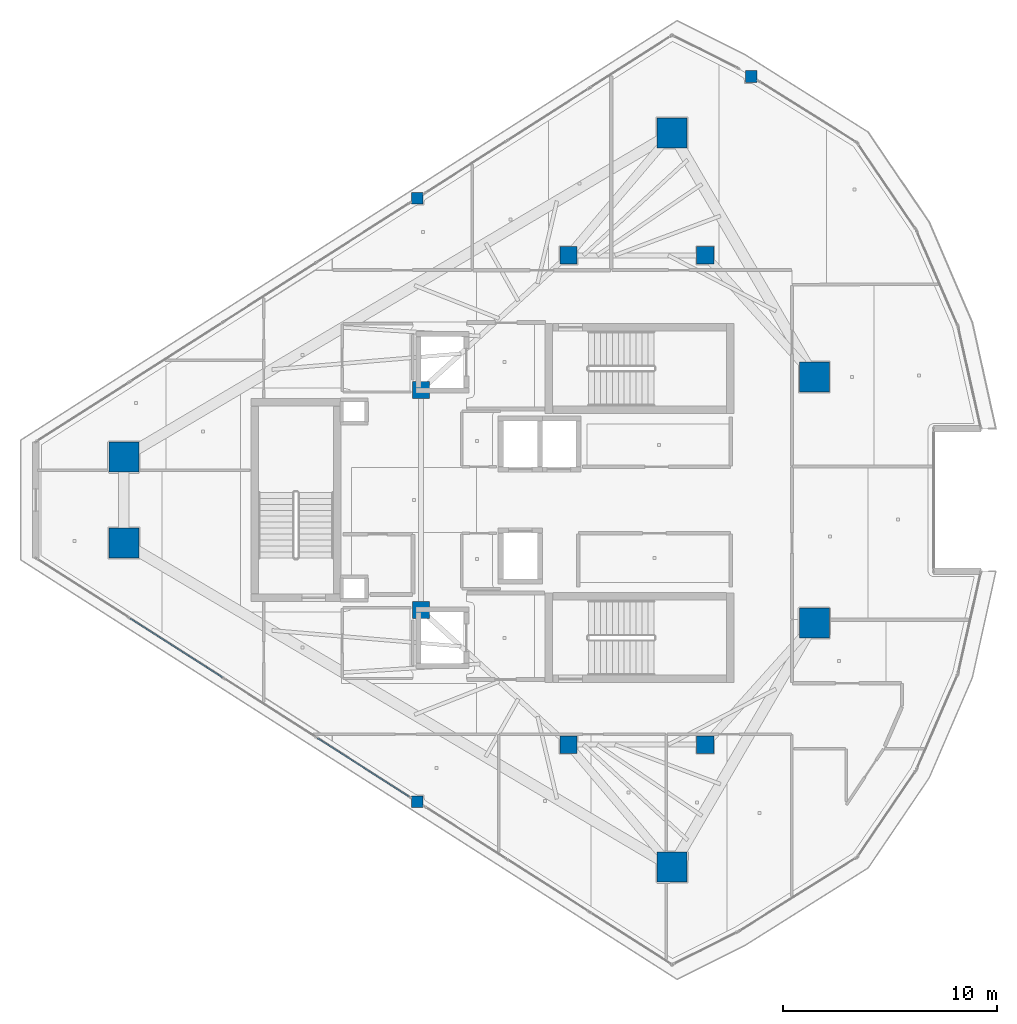
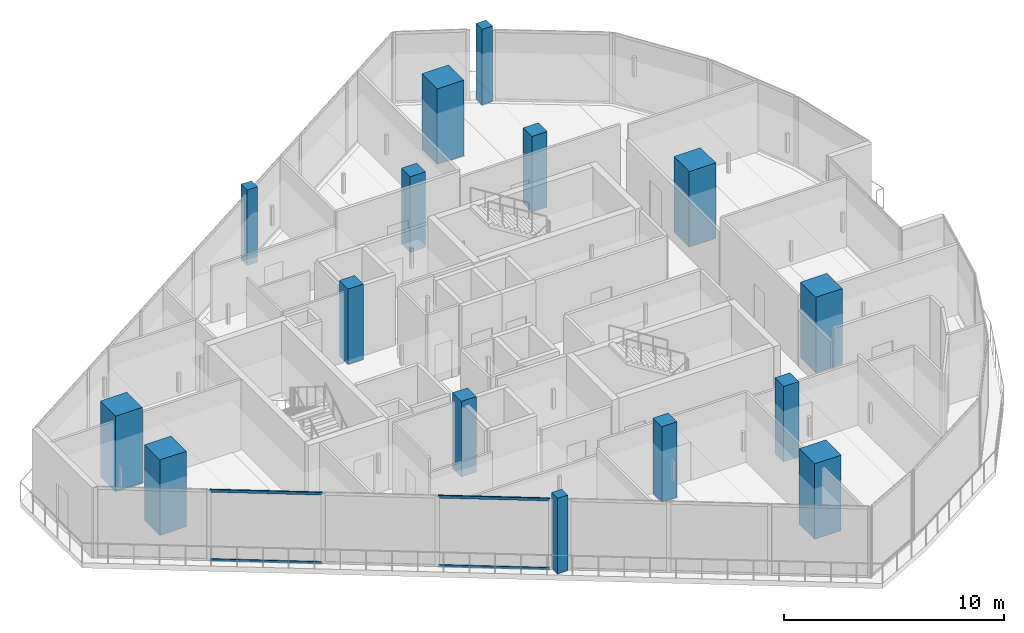
# One storey, part 1 of 23: 15 columns, 4 members, 1 element without a shape of its own.
"""IFC4 building model written with IfcOpenShell, lengths in metres."""

from ifc_helpers import new_model, si_unit, direction, frame, origin, origin_2d, place, context, subcontext, project, spatial, rectangle, hollow_rectangle, extrude, material, layer, layer_set, material_profile, profile_set, type_object, element, aggregate, save


model = new_model("IFC4")

# Units and contexts
model_context = context("Model", 3, precision=1e-05, world=origin(), true_north=direction((0.0, 1.0)))
body_context = subcontext(model_context, "Body", "Model", "MODEL_VIEW")
ifc_project = project(units=[si_unit("LENGTHUNIT", "METRE"), si_unit("AREAUNIT", "SQUARE_METRE"), si_unit("VOLUMEUNIT", "CUBIC_METRE"), si_unit("PLANEANGLEUNIT", "RADIAN"), si_unit("MASSUNIT", "GRAM", prefix="KILO")], contexts=[model_context])

# Site, building, storey
site_placement = place(None, origin())
site = spatial("IfcSite", under=ifc_project, at=site_placement, CompositionType="ELEMENT")
building_placement = place(site_placement, origin())
building = spatial("IfcBuilding", under=site, at=building_placement, Name="Qorvath Tower", CompositionType="ELEMENT")
storey_placement = place(building_placement, frame((0.0, 0.0, 310.199951171875)))
storey = spatial("IfcBuildingStorey", under=building, at=storey_placement, Name="L72", CompositionType="ELEMENT", Elevation=310.199951171875)

# Columns
ifc_material_1 = material(Name="Concrete C50/60", Category="concrete")
ifc_material_profile_1 = material_profile(ifc_material_1, rectangle(XDim=1.39990234375, YDim=1.39990234375, at=origin_2d()), Name="MC 1400x1400")
ifc_profile_set_1 = profile_set([ifc_material_profile_1], Name="Concrete C50/60")
column_type_1 = type_object("IfcColumnType", Name="COL-MC6", PredefinedType="COLUMN", material=ifc_profile_set_1)
for number, where, z_axis, x_axis, name in (
    (1, (-44.402587890625, 2.007568359375, 0.0), (0.0, 0.0, 1.0), (1.0, 0.0, 0.0), "Composite Mega-Column MC1 L72"),
    (2, (-44.402587890625, -2.007568359375, 0.0), (0.0, 0.0, 1.0), (1.0, 0.0, 0.0), "Composite Mega-Column MC2 L72"),
    (3, (-18.75048828125, -17.175537109375, 0.0), (0.0, 0.0, 1.0), (1.0, 0.0, 0.0), "Composite Mega-Column MC3 L72"),
    (4, (-12.0966796875, -5.7578125, 0.0), (0.0, 0.0, 1.0), (1.0, 0.0, 0.0), "Composite Mega-Column MC4 L72"),
    (5, (-12.0966796875, 5.7578125, 0.0), (0.0, 0.0, 1.0), (1.0, 0.0, 0.0), "Composite Mega-Column MC5 L72"),
    (6, (-18.75048828125, 17.175537109375, 0.0), (0.0, 0.0, 1.0), (1.0, 0.0, 0.0), "Composite Mega-Column MC6 L72"),
):
    element("IfcColumn", number, at=place(storey_placement, frame(where, z_axis=z_axis, x_axis=x_axis)), inside=storey, type_object=column_type_1, Name=name, PredefinedType="COLUMN", context=body_context, shape_type="SweptSolid", body=[
        extrude(rectangle(XDim=1.39990234375, YDim=1.39990234375, at=origin_2d()), origin(), (0.0, 0.0, 1.0), 4.199951171875),
    ])
ifc_material_2 = material(Name="Concrete C50/60", Category="concrete")
ifc_material_profile_2 = material_profile(ifc_material_2, rectangle(XDim=0.800048828125, YDim=0.800048828125, at=origin_2d()), Name="RC 800x800")
ifc_profile_set_2 = profile_set([ifc_material_profile_2], Name="Concrete C50/60")
column_type_2 = type_object("IfcColumnType", Name="COL-RC4", PredefinedType="COLUMN", material=ifc_profile_set_2)
for number, where, z_axis, x_axis, name in (
    (7, (-23.60009765625, 11.449951171875, 0.0), (0.0, 0.0, 1.0), (1.0, 0.0, 0.0), "Core Spine Column CC1 L72"),
    (8, (-17.199951171875, 11.449951171875, 0.0), (0.0, 0.0, 1.0), (1.0, 0.0, 0.0), "Core Spine Column CC2 L72"),
    (9, (-17.199951171875, -11.449951171875, 0.0), (0.0, 0.0, 1.0), (1.0, 0.0, 0.0), "Core Spine Column CC3 L72"),
    (10, (-23.60009765625, -11.449951171875, 0.0), (0.0, 0.0, 1.0), (1.0, 0.0, 0.0), "Core Spine Column CC4 L72"),
    (11, (-30.5, 5.14990234375, 0.0), (0.0, 0.0, 1.0), (1.0, 0.0, 0.0), "Core Spine Column CC5 L72"),
    (12, (-30.5, -5.14990234375, 0.0), (0.0, 0.0, 1.0), (1.0, 0.0, 0.0), "Core Spine Column CC6 L72"),
):
    element("IfcColumn", number, at=place(storey_placement, frame(where, z_axis=z_axis, x_axis=x_axis)), inside=storey, type_object=column_type_2, Name=name, PredefinedType="COLUMN", context=body_context, shape_type="SweptSolid", body=[
        extrude(rectangle(XDim=0.800048828125, YDim=0.800048828125, at=origin_2d()), origin(), (0.0, 0.0, 1.0), 4.199951171875),
    ])
ifc_material_3 = material(Name="Concrete C45/55", Category="concrete")
ifc_material_profile_3 = material_profile(ifc_material_3, rectangle(XDim=0.550048828125, YDim=0.550048828125, at=origin_2d()), Name="RC 550x550")
ifc_profile_set_3 = profile_set([ifc_material_profile_3], Name="Concrete C45/55")
column_type_3 = type_object("IfcColumnType", Name="COL-RC7", PredefinedType="COLUMN", material=ifc_profile_set_3)
for number, where, z_axis, x_axis, name in (
    (13, (-30.67724609375, 14.124267578125, 0.0), (0.0, 0.0, 1.0), (1.0, 0.0, 0.0), "Loggia Frame Pier Column LGH1 L72"),
    (14, (-30.67724609375, -14.124267578125, 0.0), (0.0, 0.0, 1.0), (1.0, 0.0, 0.0), "Loggia Frame Pier Column LGH2 L72"),
    (15, (-15.046142578125, 19.818115234375, 0.0), (0.0, 0.0, 1.0), (1.0, 0.0, 0.0), "Loggia Frame Pier Column LGH3 L72"),
):
    element("IfcColumn", number, at=place(storey_placement, frame(where, z_axis=z_axis, x_axis=x_axis)), inside=storey, type_object=column_type_3, Name=name, PredefinedType="COLUMN", context=body_context, shape_type="SweptSolid", body=[
        extrude(rectangle(XDim=0.550048828125, YDim=0.550048828125, at=origin_2d()), origin(), (0.0, 0.0, 1.0), 4.199951171875),
    ])

# Curtain wall, members
ifc_material_4 = material(Name="Anodised aluminium and triple low-E glass", Category="aluminium")
ifc_layer = layer(ifc_material_4, 0.179931640625)
ifc_layer_set = layer_set([ifc_layer], Name="CW-SYS-4")
curtain_wall_type = type_object("IfcCurtainWallType", Name="CW-SYS-4", PredefinedType="NOTDEFINED", material=ifc_layer_set)
curtain_wall_placement = place(storey_placement, origin())
curtain_wall = element("IfcCurtainWall", 16, at=curtain_wall_placement, inside=storey, type_object=curtain_wall_type, Name="Curtain Wall CW-4 CW-T-L72-2.1", PredefinedType="NOTDEFINED")
ifc_material_5 = material(Name="Anodised aluminium 6063-T6", Category="aluminium")
ifc_material_profile_4 = material_profile(ifc_material_5, hollow_rectangle(XDim=0.06494140625, YDim=0.159912109375, WallThickness=0.00341796875, InnerFilletRadius=0.00341796875, OuterFilletRadius=0.007080078125, at=origin_2d()), Name="CWT 160x65")
ifc_profile_set_4 = profile_set([ifc_material_profile_4], Name="Anodised aluminium 6063-T6")
member_type = type_object("IfcMemberType", Name="CWT-160", PredefinedType="USERDEFINED", material=ifc_profile_set_4)
member_1_placement = place(storey_placement, frame((-44.1103515625, -5.538818359375, 0.032470703125), z_axis=(0.842602591489, -0.538535860288, 0.0), x_axis=(0.538535860288, 0.842602591489, 0.0)))
member_1 = element("IfcMember", 17, at=member_1_placement, type_object=member_type, Name="CW-4 transom 2.1", ObjectType="TRANSOM", PredefinedType="USERDEFINED", context=body_context, shape_type="SweptSolid", body=[
    extrude(hollow_rectangle(XDim=0.06494140625, YDim=0.159912109375, WallThickness=0.00341796875, InnerFilletRadius=0.00341796875, OuterFilletRadius=0.007080078125, at=origin_2d()), origin(), (0.0, 0.0, 1.0), 5.125),
])
member_2_placement = place(storey_placement, frame((-44.1103515625, -5.538818359375, 3.877685546875), z_axis=(0.842602591489, -0.538535860288, 0.0), x_axis=(0.538535860288, 0.842602591489, 0.0)))
member_2 = element("IfcMember", 18, at=member_2_placement, type_object=member_type, Name="CW-4 transom 2.2", ObjectType="TRANSOM", PredefinedType="USERDEFINED", context=body_context, shape_type="SweptSolid", body=[
    extrude(hollow_rectangle(XDim=0.06494140625, YDim=0.159912109375, WallThickness=0.00341796875, InnerFilletRadius=0.00341796875, OuterFilletRadius=0.007080078125, at=origin_2d()), origin(), (0.0, 0.0, 1.0), 5.125),
])
member_3_placement = place(storey_placement, frame((-35.34716796875, -11.1396484375, 0.032470703125), z_axis=(0.84260068815, -0.538538838274, 0.0), x_axis=(0.538538838274, 0.84260068815, 0.0)))
member_3 = element("IfcMember", 19, at=member_3_placement, type_object=member_type, Name="CW-4 transom 4.1", ObjectType="TRANSOM", PredefinedType="USERDEFINED", context=body_context, shape_type="SweptSolid", body=[
    extrude(hollow_rectangle(XDim=0.06494140625, YDim=0.159912109375, WallThickness=0.00341796875, InnerFilletRadius=0.00341796875, OuterFilletRadius=0.007080078125, at=origin_2d()), origin(), (0.0, 0.0, 1.0), 5.08740234375),
])
member_4_placement = place(storey_placement, frame((-35.34716796875, -11.1396484375, 3.877685546875), z_axis=(0.84260068815, -0.538538838274, 0.0), x_axis=(0.538538838274, 0.84260068815, 0.0)))
member_4 = element("IfcMember", 20, at=member_4_placement, type_object=member_type, Name="CW-4 transom 4.2", ObjectType="TRANSOM", PredefinedType="USERDEFINED", context=body_context, shape_type="SweptSolid", body=[
    extrude(hollow_rectangle(XDim=0.06494140625, YDim=0.159912109375, WallThickness=0.00341796875, InnerFilletRadius=0.00341796875, OuterFilletRadius=0.007080078125, at=origin_2d()), origin(), (0.0, 0.0, 1.0), 5.08740234375),
])
aggregate(curtain_wall, [member_1, member_2, member_3, member_4])

save(model, "model.ifc")
